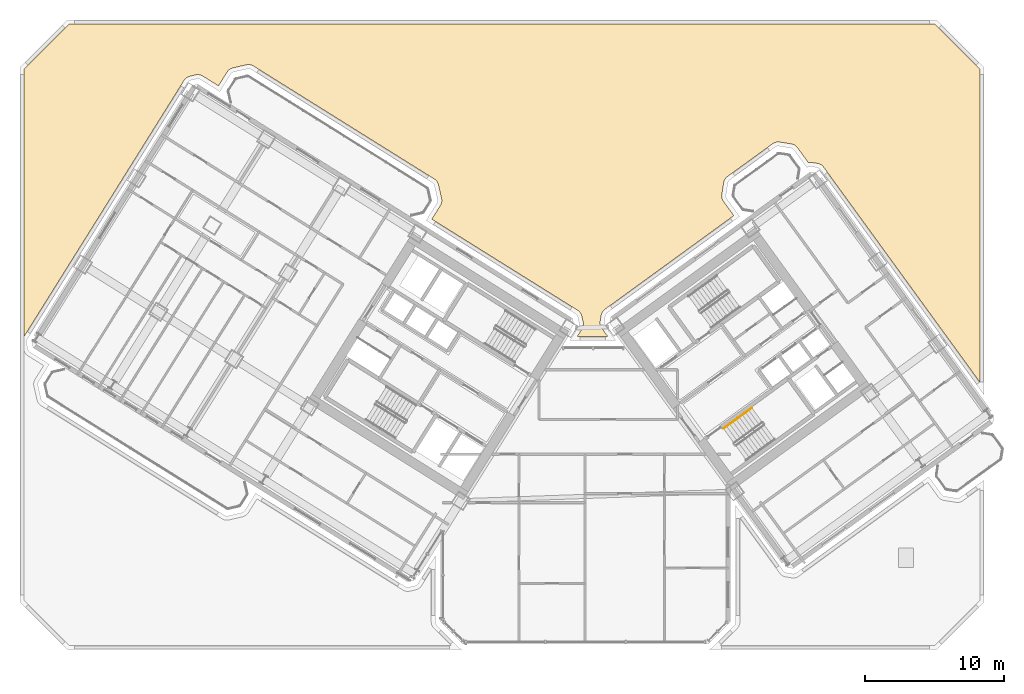
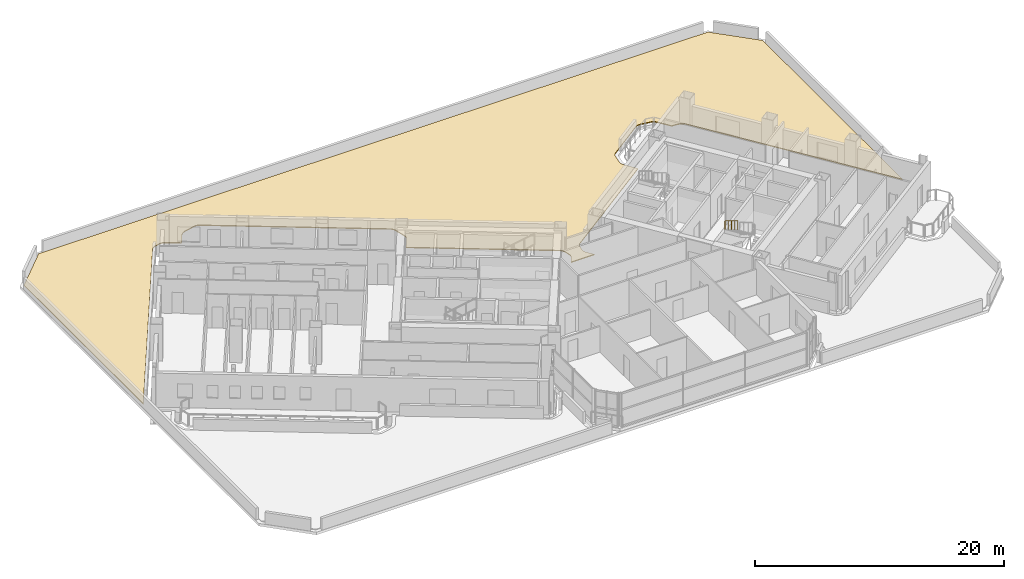
# One storey, part 26 of 28: 2 railings, 1 covering.
"""IFC4 building model written with IfcOpenShell, lengths in metres."""

from ifc_helpers import new_model, si_unit, direction, frame, origin, origin_2d, place, context, subcontext, project, spatial, polyline, rectangle, outline, extrude, source, transform, mapped, material, layer, layer_set, type_object, element, save


model = new_model("IFC4")

# Units and contexts
model_context = context("Model", 3, precision=1e-05, world=origin(), true_north=direction((0.0, 1.0)))
body_context = subcontext(model_context, "Body", "Model", "MODEL_VIEW")
ifc_project = project(units=[si_unit("LENGTHUNIT", "METRE"), si_unit("AREAUNIT", "SQUARE_METRE"), si_unit("VOLUMEUNIT", "CUBIC_METRE"), si_unit("PLANEANGLEUNIT", "RADIAN"), si_unit("MASSUNIT", "GRAM", prefix="KILO")], contexts=[model_context])

# Site, building, storey
site_placement = place(None, origin())
site = spatial("IfcSite", under=ifc_project, at=site_placement, CompositionType="ELEMENT")
building_placement = place(site_placement, origin())
building = spatial("IfcBuilding", under=site, at=building_placement, Name="Tlacorven Tower", CompositionType="ELEMENT")
storey_placement = place(building_placement, frame((0.0, 0.0, 24.0)))
storey = spatial("IfcBuildingStorey", under=building, at=storey_placement, Name="L05", CompositionType="ELEMENT", Elevation=24.0)

# Covering
ifc_material_1 = material(Name="EPDM waterproofing membrane and rigid insulation")
ifc_layer = layer(ifc_material_1, 0.080078125)
ifc_layer_set = layer_set([ifc_layer], Name="EPDM waterproofing membrane and rigid insulation")
covering_type = type_object("IfcCoveringType", Name="CV-ROF-MEMB", PredefinedType="ROOFING", material=ifc_layer_set)
covering_placement = place(storey_placement, origin())
element("IfcCovering", 1, at=covering_placement, inside=storey, type_object=covering_type, Name="L05 Podium Roof Waterproofing Membrane 1.3", PredefinedType="ROOFING", context=body_context, shape_type="SweptSolid", body=[
    extrude(outline(polyline([(1.699951171875, 23.894287109375), (1.699951171875, 43.07568359375), (4.92431640625, 46.300048828125), (67.07568359375, 46.300048828125), (70.300048828125, 43.07568359375), (70.300048828125, 20.609130859375), (59.09521484375, 36.031005859375), (59.086181640625, 36.042724609375), (59.06298828125, 36.07177734375), (59.04345703125, 36.09375), (59.017333984375, 36.120361328125), (58.99560546875, 36.140380859375), (58.967041015625, 36.164306640625), (58.943603515625, 36.18212890625), (58.912841796875, 36.203125), (58.8876953125, 36.218505859375), (58.85498046875, 36.236572265625), (58.828369140625, 36.249267578125), (58.794189453125, 36.263916015625), (58.7666015625, 36.274169921875), (58.73095703125, 36.285400390625), (58.702392578125, 36.292724609375), (58.666015625, 36.30029296875), (58.651611328125, 36.302978515625), (58.232421875, 36.369384765625), (58.2177734375, 36.371337890625), (58.1806640625, 36.375244140625), (58.1513671875, 36.377197265625), (58.114013671875, 36.37744140625), (58.084716796875, 36.376220703125), (58.047607421875, 36.373046875), (58.018310546875, 36.368896484375), (57.988525390625, 36.36328125), (57.21240234375, 37.431884765625), (57.203369140625, 37.443603515625), (57.179931640625, 37.47265625), (57.160400390625, 37.49462890625), (57.13427734375, 37.521240234375), (57.11279296875, 37.541259765625), (57.083984375, 37.565185546875), (57.060546875, 37.5830078125), (57.02978515625, 37.60400390625), (57.004638671875, 37.619384765625), (56.971923828125, 37.63720703125), (56.945556640625, 37.650146484375), (56.9111328125, 37.66455078125), (56.883544921875, 37.6748046875), (56.847900390625, 37.68603515625), (56.819580078125, 37.693359375), (56.782958984375, 37.701171875), (56.7685546875, 37.703857421875), (55.930419921875, 37.83642578125), (55.915771484375, 37.83837890625), (55.87890625, 37.842529296875), (55.849365234375, 37.84423828125), (55.81201171875, 37.844482421875), (55.78271484375, 37.843505859375), (55.74560546875, 37.840087890625), (55.71630859375, 37.836181640625), (55.6796875, 37.8291015625), (55.651123046875, 37.822265625), (55.615234375, 37.811767578125), (55.58740234375, 37.80224609375), (55.552978515625, 37.788330078125), (55.526123046875, 37.77587890625), (55.4931640625, 37.758544921875), (55.4677734375, 37.74365234375), (55.4365234375, 37.723388671875), (55.42431640625, 37.715087890625), (52.188232421875, 35.36376953125), (52.176513671875, 35.35498046875), (52.1474609375, 35.33154296875), (52.12548828125, 35.31201171875), (52.098876953125, 35.285888671875), (52.078857421875, 35.26416015625), (52.054931640625, 35.235595703125), (52.037353515625, 35.212158203125), (52.01611328125, 35.181396484375), (52.000732421875, 35.15625), (51.98291015625, 35.12353515625), (51.969970703125, 35.09716796875), (51.95556640625, 35.062744140625), (51.9453125, 35.03515625), (51.93408203125, 34.99951171875), (51.9267578125, 34.97119140625), (51.9189453125, 34.9345703125), (51.916259765625, 34.920166015625), (51.78369140625, 34.08203125), (51.78173828125, 34.0673828125), (51.777587890625, 34.0302734375), (51.77587890625, 34.0009765625), (51.775634765625, 33.963623046875), (51.77685546875, 33.934326171875), (51.780029296875, 33.897216796875), (51.7841796875, 33.867919921875), (51.791015625, 33.831298828125), (51.7978515625, 33.802734375), (51.808349609375, 33.766845703125), (51.81787109375, 33.739013671875), (51.831787109375, 33.70458984375), (51.84423828125, 33.677734375), (51.861572265625, 33.644775390625), (51.87646484375, 33.619384765625), (51.896728515625, 33.588134765625), (51.905029296875, 33.575927734375), (52.645751953125, 32.556640625), (43.390625, 25.832275390625), (43.37890625, 25.823486328125), (43.349853515625, 25.800048828125), (43.327880859375, 25.780517578125), (43.30126953125, 25.75439453125), (43.28125, 25.732666015625), (43.25732421875, 25.7041015625), (43.239501953125, 25.6806640625), (43.218505859375, 25.64990234375), (43.203125, 25.624755859375), (43.185302734375, 25.592041015625), (43.17236328125, 25.5654296875), (43.15771484375, 25.53125), (43.1474609375, 25.503662109375), (43.136474609375, 25.468017578125), (43.12890625, 25.439453125), (43.121337890625, 25.403076171875), (43.11865234375, 25.388671875), (43.05224609375, 24.969482421875), (43.05029296875, 24.954833984375), (43.04638671875, 24.91796875), (43.044677734375, 24.888427734375), (43.044189453125, 24.85107421875), (43.04541015625, 24.82177734375), (43.048583984375, 24.78466796875), (43.052734375, 24.75537109375), (43.0595703125, 24.71875), (43.06640625, 24.690185546875), (43.076904296875, 24.654296875), (43.086669921875, 24.62646484375), (43.1005859375, 24.592041015625), (43.11279296875, 24.565185546875), (43.130126953125, 24.5322265625), (43.14501953125, 24.5068359375), (43.16552734375, 24.4755859375), (43.173828125, 24.46337890625), (43.59765625, 23.8798828125), (41.40576171875, 23.8798828125), (41.739013671875, 24.413330078125), (41.74658203125, 24.426025390625), (41.7646484375, 24.45849609375), (41.77783203125, 24.48486328125), (41.792724609375, 24.51904296875), (41.80322265625, 24.546630859375), (41.814697265625, 24.582275390625), (41.822265625, 24.610595703125), (41.830322265625, 24.64697265625), (41.835205078125, 24.676025390625), (41.839599609375, 24.713134765625), (41.841552734375, 24.742431640625), (41.84228515625, 24.77978515625), (41.84130859375, 24.80908203125), (41.83837890625, 24.846435546875), (41.83447265625, 24.87548828125), (41.827880859375, 24.912353515625), (41.824951171875, 24.9267578125), (41.7294921875, 25.340087890625), (41.725830078125, 25.354248046875), (41.7158203125, 25.39013671875), (41.706298828125, 25.418212890625), (41.692626953125, 25.452880859375), (41.6806640625, 25.479736328125), (41.66357421875, 25.512939453125), (41.64892578125, 25.538330078125), (41.62890625, 25.56982421875), (41.61181640625, 25.59375), (41.588623046875, 25.623046875), (41.5693359375, 25.645263671875), (41.54345703125, 25.672119140625), (41.52197265625, 25.692138671875), (41.49365234375, 25.71630859375), (41.47021484375, 25.734375), (41.439697265625, 25.755615234375), (41.42724609375, 25.763671875), (30.96240234375, 32.302978515625), (31.5771484375, 33.28662109375), (31.584716796875, 33.29931640625), (31.602783203125, 33.33203125), (31.615966796875, 33.3583984375), (31.630859375, 33.392578125), (31.64111328125, 33.419921875), (31.652587890625, 33.45556640625), (31.660400390625, 33.48388671875), (31.668212890625, 33.520263671875), (31.673095703125, 33.54931640625), (31.677490234375, 33.58642578125), (31.679443359375, 33.61572265625), (31.68017578125, 33.653076171875), (31.67919921875, 33.6826171875), (31.67626953125, 33.7197265625), (31.672607421875, 33.748779296875), (31.666015625, 33.78564453125), (31.6630859375, 33.800048828125), (31.4404296875, 34.7646484375), (31.436767578125, 34.77880859375), (31.426513671875, 34.814697265625), (31.4169921875, 34.842529296875), (31.403564453125, 34.87744140625), (31.391357421875, 34.904296875), (31.37451171875, 34.9375), (31.359619140625, 34.962890625), (31.339599609375, 34.994384765625), (31.322509765625, 35.018310546875), (31.29931640625, 35.047607421875), (31.280029296875, 35.06982421875), (31.254150390625, 35.0966796875), (31.232666015625, 35.11669921875), (31.204345703125, 35.140869140625), (31.180908203125, 35.158935546875), (31.150390625, 35.18017578125), (31.13818359375, 35.188232421875), (18.162841796875, 43.296142578125), (18.150390625, 43.303466796875), (18.11767578125, 43.32177734375), (18.09130859375, 43.334716796875), (18.05712890625, 43.349609375), (18.029541015625, 43.360107421875), (17.994140625, 43.37158203125), (17.9658203125, 43.37939453125), (17.92919921875, 43.38720703125), (17.900146484375, 43.39208984375), (17.86328125, 43.396484375), (17.833740234375, 43.3984375), (17.796630859375, 43.399169921875), (17.76708984375, 43.398193359375), (17.72998046875, 43.395263671875), (17.70068359375, 43.3916015625), (17.6640625, 43.385009765625), (17.649658203125, 43.382080078125), (16.68505859375, 43.1591796875), (16.6708984375, 43.155517578125), (16.635009765625, 43.1455078125), (16.60693359375, 43.135986328125), (16.572265625, 43.122314453125), (16.54541015625, 43.1103515625), (16.51220703125, 43.09326171875), (16.48681640625, 43.07861328125), (16.455322265625, 43.05859375), (16.431396484375, 43.04150390625), (16.402099609375, 43.018310546875), (16.3798828125, 42.9990234375), (16.35302734375, 42.97314453125), (16.3330078125, 42.95166015625), (16.308837890625, 42.92333984375), (16.290771484375, 42.89990234375), (16.26953125, 42.869384765625), (16.261474609375, 42.85693359375), (15.646728515625, 41.873291015625), (14.52734375, 42.57275390625), (14.5146484375, 42.580322265625), (14.48193359375, 42.598388671875), (14.45556640625, 42.611572265625), (14.42138671875, 42.62646484375), (14.393798828125, 42.636962890625), (14.3583984375, 42.6484375), (14.330078125, 42.656005859375), (14.29345703125, 42.6640625), (14.2646484375, 42.6689453125), (14.2275390625, 42.67333984375), (14.1982421875, 42.67529296875), (14.160888671875, 42.676025390625), (14.13134765625, 42.675048828125), (14.09423828125, 42.672119140625), (14.06494140625, 42.668212890625), (14.0283203125, 42.66162109375), (14.013916015625, 42.65869140625), (13.6005859375, 42.563232421875), (13.586181640625, 42.5595703125), (13.55029296875, 42.549560546875), (13.5224609375, 42.5400390625), (13.48779296875, 42.5263671875), (13.4609375, 42.514404296875), (13.427734375, 42.497314453125), (13.402099609375, 42.482666015625), (13.370849609375, 42.462646484375), (13.346923828125, 42.445556640625), (13.317626953125, 42.42236328125), (13.29541015625, 42.403076171875), (13.2685546875, 42.377197265625), (13.248291015625, 42.355712890625), (13.22412109375, 42.3271484375), (13.206298828125, 42.303955078125), (13.184814453125, 42.2734375), (13.1767578125, 42.260986328125), (1.699951171875, 23.894287109375)])), origin(), (0.0, 0.0, 1.0), 0.080078125),
])

# Railings
ifc_material_2 = material(Name="Aluminium and painted steel balustrade", Category="steel")
railing_type = type_object("IfcRailingType", Name="RL-HND-0900", PredefinedType="HANDRAIL", material=ifc_material_2)
shared_shape_1 = source(origin(), body_context, "Body", "SweptSolid", [
    extrude(rectangle(XDim=0.048095703125, YDim=0.048095703125, at=origin_2d()), frame((0.0, 0.0, 0.8759765625), z_axis=(-0.680461216233, -0.494495647917, 0.540783309093), x_axis=(0.587872112667, -0.808953879494, 0.0)), (0.0, 0.0, 1.0), 1.498046875),
    extrude(rectangle(XDim=0.0419921875, YDim=0.0419921875, at=origin_2d()), origin(), (0.0, 0.0, 1.0), 0.851806640625),
    extrude(rectangle(XDim=0.0419921875, YDim=0.0419921875, at=origin_2d()), frame((-0.509765625, -0.370361328125, 0.405029296875)), (0.0, 0.0, 1.0), 0.851806640625),
    extrude(rectangle(XDim=0.0419921875, YDim=0.0419921875, at=origin_2d()), frame((-1.019287109375, -0.74072265625, 0.81005859375)), (0.0, 0.0, 1.0), 0.851806640625),
])
railing_1_placement = place(storey_placement, frame((52.9189453125, 18.0087890625, 2.7900390625)))
element("IfcRailing", 2, at=railing_1_placement, inside=storey, type_object=railing_type, Name="L05 ST-E2 stair handrail 4", PredefinedType="HANDRAIL", context=body_context, shape_type="MappedRepresentation", body=[
    mapped(shared_shape_1, transform((0.0, 0.0, 0.0), scale=1.0)),
])
shared_shape_2 = source(origin(), body_context, "Body", "SweptSolid", [
    extrude(rectangle(XDim=0.048095703125, YDim=0.048095703125, at=origin_2d()), frame((0.0, 0.0, 0.8759765625), z_axis=(-0.680516055757, -0.494372502302, 0.540826891737), x_axis=(0.587745292299, -0.809046025502, 0.0)), (0.0, 0.0, 1.0), 1.497802734375),
    extrude(rectangle(XDim=0.0419921875, YDim=0.0419921875, at=origin_2d()), origin(), (0.0, 0.0, 1.0), 0.851806640625),
    extrude(rectangle(XDim=0.0419921875, YDim=0.0419921875, at=origin_2d()), frame((-0.509765625, -0.3701171875, 0.405029296875)), (0.0, 0.0, 1.0), 0.851806640625),
    extrude(rectangle(XDim=0.0419921875, YDim=0.0419921875, at=origin_2d()), frame((-1.019287109375, -0.740478515625, 0.81005859375)), (0.0, 0.0, 1.0), 0.851806640625),
])
railing_2_placement = place(storey_placement, frame((53.938232421875, 18.749267578125, 1.97998046875)))
element("IfcRailing", 3, at=railing_2_placement, inside=storey, type_object=railing_type, Name="L05 ST-E2 stair handrail 3", PredefinedType="HANDRAIL", context=body_context, shape_type="MappedRepresentation", body=[
    mapped(shared_shape_2, transform((0.0, 0.0, 0.0), scale=1.0)),
])

save(model, "model.ifc")
